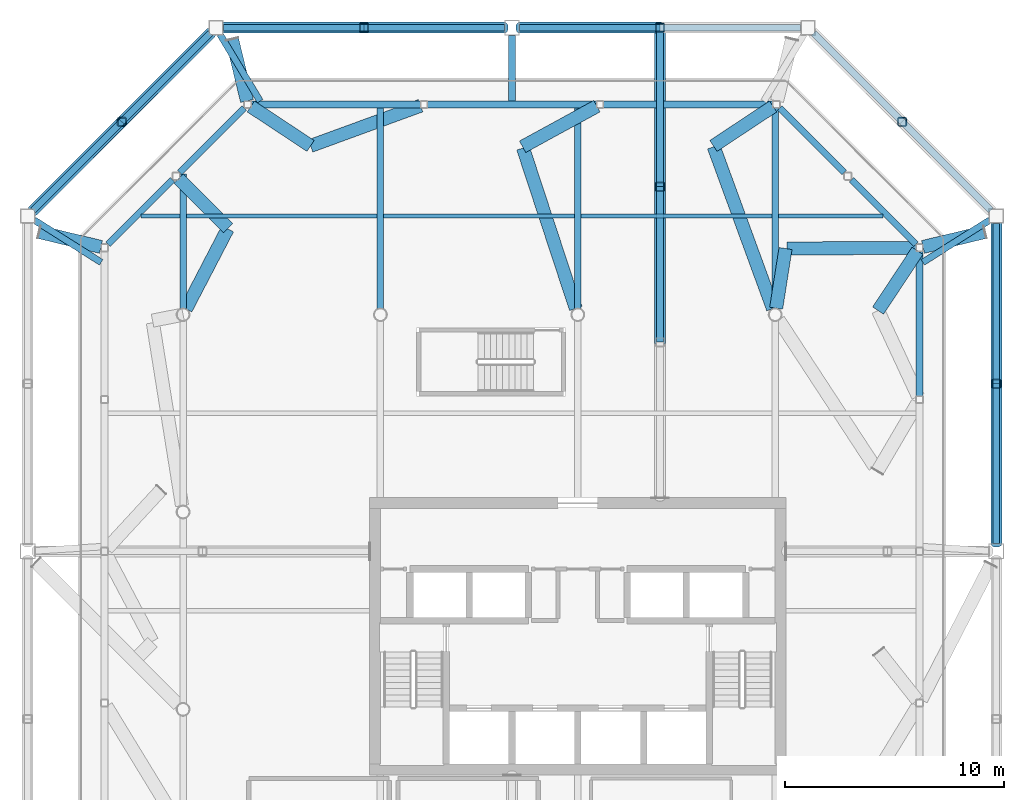
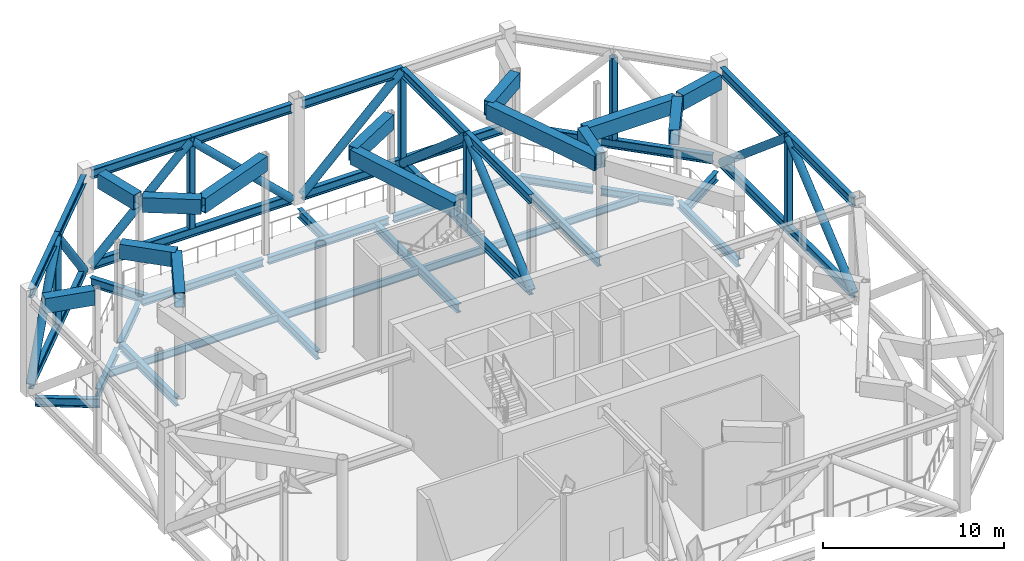
# One storey, part 5 of 17: 51 beams, 15 members.
"""IFC4 building model written with IfcOpenShell, lengths in metres."""

from ifc_helpers import new_model, si_unit, direction, frame, origin, origin_2d, place, context, subcontext, project, spatial, hollow_rectangle, hollow_circle, i_section, extrude, material, material_profile, profile_set, type_object, element, save


model = new_model("IFC4")

# Units and contexts
model_context = context("Model", 3, precision=1e-05, world=origin(), true_north=direction((0.0, 1.0)))
body_context = subcontext(model_context, "Body", "Model", "MODEL_VIEW")
ifc_project = project(units=[si_unit("LENGTHUNIT", "METRE"), si_unit("AREAUNIT", "SQUARE_METRE"), si_unit("VOLUMEUNIT", "CUBIC_METRE"), si_unit("PLANEANGLEUNIT", "RADIAN"), si_unit("MASSUNIT", "GRAM", prefix="KILO")], contexts=[model_context])

# Site, building, storey
site_placement = place(None, origin())
site = spatial("IfcSite", under=ifc_project, at=site_placement, CompositionType="ELEMENT")
building_placement = place(site_placement, origin())
building = spatial("IfcBuilding", under=site, at=building_placement, Name="Tskaro Facet Tower", CompositionType="ELEMENT")
storey_placement = place(building_placement, frame((0.0, 0.0, 210.0)))
storey = spatial("IfcBuildingStorey", under=building, at=storey_placement, Name="L54", CompositionType="ELEMENT", Elevation=210.0)

# Beams
ifc_material_1 = material(Name="Steel S355J2", Category="steel")
ifc_material_profile_1 = material_profile(ifc_material_1, hollow_rectangle(XDim=0.60009765625, YDim=1.0, WallThickness=0.0400390625, at=origin_2d()), Name="BOX 600x1000x40")
ifc_profile_set_1 = profile_set([ifc_material_profile_1], Name="Steel S355J2")
beam_type_1 = type_object("IfcBeamType", Name="BOX 600x1000x40 transfer girder", PredefinedType="BEAM", material=ifc_profile_set_1)
for number, where, z_axis, x_axis, name in (
    (1, (18.550537109375, 12.7646484375, 6.280029296875), (-0.971896419366, -0.235408899629, 0.0), (0.235408899629, -0.971896419366, 0.0), "BOX 600x1000x40 TG5-7"),
    (2, (-15.7646484375, 21.550537109375, 6.280029296875), (0.235408899629, -0.971896419366, 0.0), (0.971896419366, 0.235408899629, 0.0), "BOX 600x1000x40 TG5-9"),
    (3, (-24.550537109375, 12.7646484375, 6.280029296875), (0.971896419366, -0.235408899629, 0.0), (0.235408899629, 0.971896419366, 0.0), "BOX 600x1000x40 TG5-10"),
):
    element("IfcBeam", number, at=place(storey_placement, frame(where, z_axis=z_axis, x_axis=x_axis)), inside=storey, type_object=beam_type_1, Name=name, PredefinedType="BEAM", context=body_context, shape_type="SweptSolid", body=[
        extrude(hollow_rectangle(XDim=0.60009765625, YDim=1.0, WallThickness=0.0400390625, at=origin_2d()), origin(), (0.0, 0.0, 1.0), 2.88818359375),
    ])
beam_1_placement = place(storey_placement, frame((9.472900390625, 12.0146484375, 6.280029296875), z_axis=(-0.154998278215, -0.987914740122, 0.0), x_axis=(0.987914740122, -0.154998278215, 0.0)))
element("IfcBeam", 4, at=beam_1_placement, inside=storey, type_object=beam_type_1, Name="BOX 600x1000x40 TG5-25", PredefinedType="BEAM", context=body_context, shape_type="SweptSolid", body=[
    extrude(hollow_rectangle(XDim=0.60009765625, YDim=1.0, WallThickness=0.0400390625, at=origin_2d()), origin(), (0.0, 0.0, 1.0), 2.75634765625),
])
beam_2_placement = place(storey_placement, frame((9.53271484375, 12.014892578125, 6.280029296875), z_axis=(0.999986770164, 0.005143879511, 0.0), x_axis=(-0.005143879511, 0.999986770164, 0.0)))
element("IfcBeam", 5, at=beam_2_placement, inside=storey, type_object=beam_type_1, Name="BOX 600x1000x40 TG5-26", PredefinedType="BEAM", context=body_context, shape_type="SweptSolid", body=[
    extrude(hollow_rectangle(XDim=0.60009765625, YDim=1.0, WallThickness=0.0400390625, at=origin_2d()), origin(), (0.0, 0.0, 1.0), 5.88525390625),
])
beam_3_placement = place(storey_placement, frame((-15.947021484375, 12.947021484375, 6.280029296875), z_axis=(-0.707106781187, 0.707106781187, 0.0), x_axis=(-0.707106781187, -0.707106781187, 0.0)))
element("IfcBeam", 6, at=beam_3_placement, inside=storey, type_object=beam_type_1, Name="BOX 600x1000x40 TG5-29", PredefinedType="BEAM", context=body_context, shape_type="SweptSolid", body=[
    extrude(hollow_rectangle(XDim=0.60009765625, YDim=1.0, WallThickness=0.0400390625, at=origin_2d()), origin(), (0.0, 0.0, 1.0), 3.182373046875),
])
beam_4_placement = place(storey_placement, frame((-15.96533203125, 12.911376953125, 6.280029296875), z_axis=(-0.461470451889, -0.887155579384, 0.0), x_axis=(0.887155579384, -0.461470451889, 0.0)))
element("IfcBeam", 7, at=beam_4_placement, inside=storey, type_object=beam_type_1, Name="BOX 600x1000x40 TG5-30", PredefinedType="BEAM", context=body_context, shape_type="SweptSolid", body=[
    extrude(hollow_rectangle(XDim=0.60009765625, YDim=1.0, WallThickness=0.0400390625, at=origin_2d()), origin(), (0.0, 0.0, 1.0), 4.11376953125),
])
for number, where, z_axis, x_axis, name in (
    (8, (13.694091796875, 9.18408203125, 6.280029296875), (0.550879720885, 0.834584647065, 0.0), (-0.834584647065, 0.550879720885, 0.0), "BOX 600x1000x40 TG5-31"),
    (9, (6.18408203125, 16.694091796875, 6.280029296875), (0.834584647065, 0.550879720885, 0.0), (-0.550879720885, 0.834584647065, 0.0), "BOX 600x1000x40 TG5-33"),
):
    element("IfcBeam", number, at=place(storey_placement, frame(where, z_axis=z_axis, x_axis=x_axis)), inside=storey, type_object=beam_type_1, Name=name, PredefinedType="BEAM", context=body_context, shape_type="SweptSolid", body=[
        extrude(hollow_rectangle(XDim=0.60009765625, YDim=1.0, WallThickness=0.0400390625, at=origin_2d()), origin(), (0.0, 0.0, 1.0), 3.26416015625),
    ])
beam_5_placement = place(storey_placement, frame((6.19775390625, 16.656494140625, 6.280029296875), z_axis=(0.343710512715, -0.939075653741, 0.0), x_axis=(0.939075653741, 0.343710512715, 0.0)))
element("IfcBeam", 10, at=beam_5_placement, inside=storey, type_object=beam_type_1, Name="BOX 600x1000x40 TG5-34", PredefinedType="BEAM", context=body_context, shape_type="SweptSolid", body=[
    extrude(hollow_rectangle(XDim=0.60009765625, YDim=1.0, WallThickness=0.0400390625, at=origin_2d()), origin(), (0.0, 0.0, 1.0), 7.858154296875),
])
beam_6_placement = place(storey_placement, frame((-12.18408203125, 16.694091796875, 6.280029296875), z_axis=(-0.834584647065, 0.550879720885, 0.0), x_axis=(-0.550879720885, -0.834584647065, 0.0)))
element("IfcBeam", 11, at=beam_6_placement, inside=storey, type_object=beam_type_1, Name="BOX 600x1000x40 TG5-35", PredefinedType="BEAM", context=body_context, shape_type="SweptSolid", body=[
    extrude(hollow_rectangle(XDim=0.60009765625, YDim=1.0, WallThickness=0.0400390625, at=origin_2d()), origin(), (0.0, 0.0, 1.0), 3.26416015625),
])
beam_7_placement = place(storey_placement, frame((-12.18408203125, 16.694091796875, 6.280029296875), z_axis=(0.939254150451, 0.343222436417, 0.0), x_axis=(-0.343222436417, 0.939254150451, 0.0)))
element("IfcBeam", 12, at=beam_7_placement, inside=storey, type_object=beam_type_1, Name="BOX 600x1000x40 TG5-36", PredefinedType="BEAM", context=body_context, shape_type="SweptSolid", body=[
    extrude(hollow_rectangle(XDim=0.60009765625, YDim=1.0, WallThickness=0.0400390625, at=origin_2d()), origin(), (0.0, 0.0, 1.0), 5.33837890625),
])
beam_8_placement = place(storey_placement, frame((-2.517333984375, 16.654541015625, 6.280029296875), z_axis=(0.877714195292, 0.479184506619, 0.0), x_axis=(-0.479184506619, 0.877714195292, 0.0)))
element("IfcBeam", 13, at=beam_8_placement, inside=storey, type_object=beam_type_1, Name="BOX 600x1000x40 TG5-39", PredefinedType="BEAM", context=body_context, shape_type="SweptSolid", body=[
    extrude(hollow_rectangle(XDim=0.60009765625, YDim=1.0, WallThickness=0.0400390625, at=origin_2d()), origin(), (0.0, 0.0, 1.0), 3.859375),
])
beam_9_placement = place(storey_placement, frame((-2.49853515625, 16.59765625, 6.280029296875), z_axis=(0.312412367521, -0.949946584088, 0.0), x_axis=(0.949946584088, 0.312412367521, 0.0)))
element("IfcBeam", 14, at=beam_9_placement, inside=storey, type_object=beam_type_1, Name="BOX 600x1000x40 TG5-40", PredefinedType="BEAM", context=body_context, shape_type="SweptSolid", body=[
    extrude(hollow_rectangle(XDim=0.60009765625, YDim=1.0, WallThickness=0.0400390625, at=origin_2d()), origin(), (0.0, 0.0, 1.0), 7.702880859375),
])

# Members
ifc_material_2 = material(Name="Steel S355J2H", Category="steel")
ifc_material_profile_2 = material_profile(ifc_material_2, hollow_circle(Radius=0.25390625, WallThickness=0.02490234375, at=origin_2d()), Name="CHS 508x25")
ifc_profile_set_2 = profile_set([ifc_material_profile_2], Name="Steel S355J2H")
member_type_1 = type_object("IfcMemberType", Name="CHS 508x25 belt diagonal", PredefinedType="BRACE", material=ifc_profile_set_2)
member_1_placement = place(storey_placement, frame((19.0849609375, -1.443115234375, 0.31005859375), z_axis=(0.0, 0.764053163364, 0.645153286866), x_axis=(-1.0, 0.0, 0.0)))
element("IfcMember", 15, at=member_1_placement, inside=storey, type_object=member_type_1, Name="CHS 508x25 BD4-051", PredefinedType="BRACE", context=body_context, shape_type="SweptSolid", body=[
    extrude(hollow_circle(Radius=0.25390625, WallThickness=0.02490234375, at=origin_2d()), origin(), (0.0, 0.0, 1.0), 9.548095703125),
])
member_2_placement = place(storey_placement, frame((19.0849609375, 5.85205078125, 6.469970703125), z_axis=(0.0, 0.764042520292, -0.645165891214), x_axis=(-1.0, 0.0, 0.0)))
element("IfcMember", 16, at=member_2_placement, inside=storey, type_object=member_type_1, Name="CHS 508x25 BD4-052", PredefinedType="BRACE", context=body_context, shape_type="SweptSolid", body=[
    extrude(hollow_circle(Radius=0.25390625, WallThickness=0.02490234375, at=origin_2d()), origin(), (0.0, 0.0, 1.0), 9.5478515625),
])
for number, where, z_axis, x_axis, name in (
    (17, (3.74853515625, 22.0849609375, 6.469970703125), (-0.720407191411, 0.0, -0.693551352506), (0.0, -1.0, 0.0), "CHS 508x25 BD4-072"),
    (18, (-3.35009765625, 22.0849609375, 0.31005859375), (-0.720407191411, 0.0, 0.693551352506), (0.0, -1.0, 0.0), "CHS 508x25 BD4-081"),
    (19, (-9.74853515625, 22.0849609375, 6.469970703125), (-0.720407191411, 0.0, -0.693551352506), (0.0, -1.0, 0.0), "CHS 508x25 BD4-082"),
):
    element("IfcMember", number, at=place(storey_placement, frame(where, z_axis=z_axis, x_axis=x_axis)), inside=storey, type_object=member_type_1, Name=name, PredefinedType="BRACE", context=body_context, shape_type="SweptSolid", body=[
        extrude(hollow_circle(Radius=0.25390625, WallThickness=0.02490234375, at=origin_2d()), origin(), (0.0, 0.0, 1.0), 8.881591796875),
    ])
for number, where, z_axis, x_axis, name in (
    (20, (-16.744384765625, 21.83740234375, 0.31005859375), (-0.48128844183, -0.48125940482, 0.732632800954), (0.7070854497, -0.70712811203, 0.0), "CHS 508x25 BD4-091"),
    (21, (-20.791015625, 17.791015625, 6.469970703125), (-0.48125940482, -0.48128844183, -0.732632800954), (0.70712811203, -0.7070854497, 0.0), "CHS 508x25 BD4-092"),
):
    element("IfcMember", number, at=place(storey_placement, frame(where, z_axis=z_axis, x_axis=x_axis)), inside=storey, type_object=member_type_1, Name=name, PredefinedType="BRACE", context=body_context, shape_type="SweptSolid", body=[
        extrude(hollow_circle(Radius=0.25390625, WallThickness=0.02490234375, at=origin_2d()), origin(), (0.0, 0.0, 1.0), 8.407958984375),
    ])
ifc_material_profile_3 = material_profile(ifc_material_2, hollow_circle(Radius=0.25390625, WallThickness=0.02490234375, at=origin_2d()), Name="CHS 508x25")
ifc_profile_set_3 = profile_set([ifc_material_profile_3], Name="Steel S355J2H")
member_type_2 = type_object("IfcMemberType", Name="CHS 508x25 outrigger truss diagonal", PredefinedType="BRACE", material=ifc_profile_set_3)
member_3_placement = place(storey_placement, frame((3.74853515625, 21.925048828125, 0.31005859375), z_axis=(0.0, -0.754967425633, 0.655762294001), x_axis=(1.0, 0.0, 0.0)))
element("IfcMember", 22, at=member_3_placement, inside=storey, type_object=member_type_2, Name="Outrigger truss diagonal OR4N-D1", PredefinedType="BRACE", context=body_context, shape_type="SweptSolid", body=[
    extrude(hollow_circle(Radius=0.25390625, WallThickness=0.02490234375, at=origin_2d()), origin(), (0.0, 0.0, 1.0), 9.3935546875),
])
member_4_placement = place(storey_placement, frame((3.74853515625, 14.833251953125, 6.469970703125), z_axis=(0.0, -0.754956248829, -0.655775161435), x_axis=(1.0, 0.0, 0.0)))
element("IfcMember", 23, at=member_4_placement, inside=storey, type_object=member_type_2, Name="Outrigger truss diagonal OR4N-D2", PredefinedType="BRACE", context=body_context, shape_type="SweptSolid", body=[
    extrude(hollow_circle(Radius=0.25390625, WallThickness=0.02490234375, at=origin_2d()), origin(), (0.0, 0.0, 1.0), 9.393310546875),
])

# Beams
ifc_material_profile_4 = material_profile(ifc_material_1, i_section(OverallWidth=0.300048828125, OverallDepth=0.5, WebThickness=0.014404296875, FlangeThickness=0.028076171875, FilletRadius=0.027099609375, at=origin_2d()), Name="HE 500 B")
ifc_profile_set_4 = profile_set([ifc_material_profile_4], Name="Steel S355J2")
beam_type_2 = type_object("IfcBeamType", Name="HE 500 B ring beam", PredefinedType="BEAM", material=ifc_profile_set_4)
beam_10_placement = place(storey_placement, frame((15.5830078125, 5.281005859375, -0.5), z_axis=(0.0, 1.0, 0.0), x_axis=(-1.0, 0.0, 0.0)))
element("IfcBeam", 24, at=beam_10_placement, inside=storey, type_object=beam_type_2, Name="HE 500 B EB9-4", PredefinedType="BEAM", context=body_context, shape_type="SweptSolid", body=[
    extrude(i_section(OverallWidth=0.300048828125, OverallDepth=0.5, WebThickness=0.014404296875, FlangeThickness=0.028076171875, FilletRadius=0.027099609375, at=origin_2d()), origin(), (0.0, 0.0, 1.0), 6.610107421875),
])
for number, where, z_axis, x_axis, name in (
    (25, (15.422119140625, 12.206787109375, -0.5), (-0.70722393913, 0.706989603829, 0.0), (-0.706989603829, -0.70722393913, 0.0), "HE 500 B EB10-4"),
    (26, (12.153076171875, 15.474853515625, -0.5), (-0.706989603829, 0.70722393913, 0.0), (-0.70722393913, -0.706989603829, 0.0), "HE 500 B EB11-4"),
):
    element("IfcBeam", number, at=place(storey_placement, frame(where, z_axis=z_axis, x_axis=x_axis)), inside=storey, type_object=beam_type_2, Name=name, PredefinedType="BEAM", context=body_context, shape_type="SweptSolid", body=[
        extrude(i_section(OverallWidth=0.300048828125, OverallDepth=0.5, WebThickness=0.014404296875, FlangeThickness=0.028076171875, FilletRadius=0.027099609375, at=origin_2d()), origin(), (0.0, 0.0, 1.0), 4.16748046875),
    ])
beam_11_placement = place(storey_placement, frame((8.89111328125, 18.5830078125, -0.5), z_axis=(-1.0, 0.0, 0.0), x_axis=(0.0, -1.0, 0.0)))
element("IfcBeam", 27, at=beam_11_placement, inside=storey, type_object=beam_type_2, Name="HE 500 B EB12-4", PredefinedType="BEAM", context=body_context, shape_type="SweptSolid", body=[
    extrude(i_section(OverallWidth=0.300048828125, OverallDepth=0.5, WebThickness=0.014404296875, FlangeThickness=0.028076171875, FilletRadius=0.027099609375, at=origin_2d()), origin(), (0.0, 0.0, 1.0), 7.72119140625),
])
beam_12_placement = place(storey_placement, frame((0.860107421875, 18.5830078125, -0.5), z_axis=(-1.0, 0.0, 0.0), x_axis=(0.0, -1.0, 0.0)))
element("IfcBeam", 28, at=beam_12_placement, inside=storey, type_object=beam_type_2, Name="HE 500 B EB13-4", PredefinedType="BEAM", context=body_context, shape_type="SweptSolid", body=[
    extrude(i_section(OverallWidth=0.300048828125, OverallDepth=0.5, WebThickness=0.014404296875, FlangeThickness=0.028076171875, FilletRadius=0.027099609375, at=origin_2d()), origin(), (0.0, 0.0, 1.0), 7.72021484375),
])
beam_13_placement = place(storey_placement, frame((-7.169921875, 18.5830078125, -0.5), z_axis=(-1.0, 0.0, 0.0), x_axis=(0.0, -1.0, 0.0)))
element("IfcBeam", 29, at=beam_13_placement, inside=storey, type_object=beam_type_2, Name="HE 500 B EB14-4", PredefinedType="BEAM", context=body_context, shape_type="SweptSolid", body=[
    extrude(i_section(OverallWidth=0.300048828125, OverallDepth=0.5, WebThickness=0.014404296875, FlangeThickness=0.028076171875, FilletRadius=0.027099609375, at=origin_2d()), origin(), (0.0, 0.0, 1.0), 7.72119140625),
])
for number, where, z_axis, x_axis, name in (
    (30, (-15.206787109375, 18.422119140625, -0.5), (-0.706989603829, -0.70722393913, 0.0), (0.70722393913, -0.706989603829, 0.0), "HE 500 B EB15-4"),
    (31, (-18.474853515625, 15.153076171875, -0.5), (-0.70722393913, -0.706989603829, 0.0), (0.706989603829, -0.70722393913, 0.0), "HE 500 B EB16-4"),
):
    element("IfcBeam", number, at=place(storey_placement, frame(where, z_axis=z_axis, x_axis=x_axis)), inside=storey, type_object=beam_type_2, Name=name, PredefinedType="BEAM", context=body_context, shape_type="SweptSolid", body=[
        extrude(i_section(OverallWidth=0.300048828125, OverallDepth=0.5, WebThickness=0.014404296875, FlangeThickness=0.028076171875, FilletRadius=0.027099609375, at=origin_2d()), origin(), (0.0, 0.0, 1.0), 4.16748046875),
    ])
ifc_material_profile_5 = material_profile(ifc_material_1, i_section(OverallWidth=0.300048828125, OverallDepth=0.590087890625, WebThickness=0.012939453125, FlangeThickness=0.02490234375, FilletRadius=0.027099609375, at=origin_2d()), Name="HE 600 A")
ifc_profile_set_5 = profile_set([ifc_material_profile_5], Name="Steel S355J2")
beam_type_3 = type_object("IfcBeamType", Name="HE 600 A girder", PredefinedType="BEAM", material=ifc_profile_set_5)
beam_14_placement = place(storey_placement, frame((-18.0, 9.27490234375, -0.544921875), z_axis=(0.0, 1.0, 0.0), x_axis=(-1.0, 0.0, 0.0)))
element("IfcBeam", 32, at=beam_14_placement, inside=storey, type_object=beam_type_3, Name="HE 600 A GB2-4-4", PredefinedType="BEAM", context=body_context, shape_type="SweptSolid", body=[
    extrude(i_section(OverallWidth=0.300048828125, OverallDepth=0.590087890625, WebThickness=0.012939453125, FlangeThickness=0.02490234375, FilletRadius=0.027099609375, at=origin_2d()), origin(), (0.0, 0.0, 1.0), 6.14208984375),
])
for number, where, z_axis, x_axis, name in (
    (33, (-9.0, 9.27490234375, -0.544921875), (0.0, 1.0, 0.0), (-1.0, 0.0, 0.0), "HE 600 A GB3-3-4"),
    (34, (0.0, 9.27490234375, -0.544921875), (0.0, 1.0, 0.0), (-1.0, 0.0, 0.0), "HE 600 A GB4-3-4"),
):
    element("IfcBeam", number, at=place(storey_placement, frame(where, z_axis=z_axis, x_axis=x_axis)), inside=storey, type_object=beam_type_3, Name=name, PredefinedType="BEAM", context=body_context, shape_type="SweptSolid", body=[
        extrude(i_section(OverallWidth=0.300048828125, OverallDepth=0.590087890625, WebThickness=0.012939453125, FlangeThickness=0.02490234375, FilletRadius=0.027099609375, at=origin_2d()), origin(), (0.0, 0.0, 1.0), 9.158203125),
    ])
beam_15_placement = place(storey_placement, frame((9.0, 9.27490234375, -0.544921875), z_axis=(0.0, 1.0, 0.0), x_axis=(-1.0, 0.0, 0.0)))
element("IfcBeam", 35, at=beam_15_placement, inside=storey, type_object=beam_type_3, Name="HE 600 A GB5-3-4", PredefinedType="BEAM", context=body_context, shape_type="SweptSolid", body=[
    extrude(i_section(OverallWidth=0.300048828125, OverallDepth=0.590087890625, WebThickness=0.012939453125, FlangeThickness=0.02490234375, FilletRadius=0.027099609375, at=origin_2d()), origin(), (0.0, 0.0, 1.0), 9.14208984375),
])
ifc_material_profile_6 = material_profile(ifc_material_1, i_section(OverallWidth=0.300048828125, OverallDepth=0.60009765625, WebThickness=0.015380859375, FlangeThickness=0.030029296875, FilletRadius=0.027099609375, at=origin_2d()), Name="HE 600 B")
ifc_profile_set_6 = profile_set([ifc_material_profile_6], Name="Steel S355J2")
beam_type_4 = type_object("IfcBeamType", Name="HE 600 B floor strut", PredefinedType="BEAM", material=ifc_profile_set_6)
beam_16_placement = place(storey_placement, frame((18.788818359375, 13.310546875, -0.550048828125), z_axis=(-0.84608267724, -0.53305168912, 0.0), x_axis=(0.53305168912, -0.84608267724, 0.0)))
element("IfcBeam", 36, at=beam_16_placement, inside=storey, type_object=beam_type_4, Name="HE 600 B ES4-06", PredefinedType="BEAM", context=body_context, shape_type="SweptSolid", body=[
    extrude(i_section(OverallWidth=0.300048828125, OverallDepth=0.60009765625, WebThickness=0.015380859375, FlangeThickness=0.030029296875, FilletRadius=0.027099609375, at=origin_2d()), origin(), (0.0, 0.0, 1.0), 3.61181640625),
])
beam_17_placement = place(storey_placement, frame((-3.0, 21.735107421875, -0.550048828125), z_axis=(0.0, -1.0, 0.0), x_axis=(1.0, 0.0, 0.0)))
element("IfcBeam", 37, at=beam_17_placement, inside=storey, type_object=beam_type_4, Name="HE 600 B ES4-08", PredefinedType="BEAM", context=body_context, shape_type="SweptSolid", body=[
    extrude(i_section(OverallWidth=0.300048828125, OverallDepth=0.60009765625, WebThickness=0.015380859375, FlangeThickness=0.030029296875, FilletRadius=0.027099609375, at=origin_2d()), origin(), (0.0, 0.0, 1.0), 3.002197265625),
])
beam_18_placement = place(storey_placement, frame((-16.31689453125, 21.784912109375, -0.550048828125), z_axis=(0.514364601892, -0.857571604194, 0.0), x_axis=(0.857571604194, 0.514364601892, 0.0)))
element("IfcBeam", 38, at=beam_18_placement, inside=storey, type_object=beam_type_4, Name="HE 600 B ES4-09", PredefinedType="BEAM", context=body_context, shape_type="SweptSolid", body=[
    extrude(i_section(OverallWidth=0.300048828125, OverallDepth=0.60009765625, WebThickness=0.015380859375, FlangeThickness=0.030029296875, FilletRadius=0.027099609375, at=origin_2d()), origin(), (0.0, 0.0, 1.0), 3.558837890625),
])
beam_19_placement = place(storey_placement, frame((-24.788818359375, 13.310546875, -0.550048828125), z_axis=(0.84608267724, -0.53305168912, 0.0), x_axis=(0.53305168912, 0.84608267724, 0.0)))
element("IfcBeam", 39, at=beam_19_placement, inside=storey, type_object=beam_type_4, Name="HE 600 B ES4-10", PredefinedType="BEAM", context=body_context, shape_type="SweptSolid", body=[
    extrude(i_section(OverallWidth=0.300048828125, OverallDepth=0.60009765625, WebThickness=0.015380859375, FlangeThickness=0.030029296875, FilletRadius=0.027099609375, at=origin_2d()), origin(), (0.0, 0.0, 1.0), 3.61181640625),
])
ifc_material_profile_7 = material_profile(ifc_material_1, i_section(OverallWidth=0.304931640625, OverallDepth=0.6201171875, WebThickness=0.02099609375, FlangeThickness=0.0400390625, FilletRadius=0.027099609375, at=origin_2d()), Name="HE 600 M")
ifc_profile_set_7 = profile_set([ifc_material_profile_7], Name="Steel S355J2")
beam_type_5 = type_object("IfcBeamType", Name="HE 600 M belt chord", PredefinedType="BEAM", material=ifc_profile_set_7)
beam_20_placement = place(storey_placement, frame((19.0849609375, -1.443115234375, 6.469970703125), z_axis=(0.0, 1.0, 0.0), x_axis=(-1.0, 0.0, 0.0)))
element("IfcBeam", 40, at=beam_20_placement, inside=storey, type_object=beam_type_5, Name="HE 600 M BT4-05T1", PredefinedType="BEAM", context=body_context, shape_type="SweptSolid", body=[
    extrude(i_section(OverallWidth=0.304931640625, OverallDepth=0.6201171875, WebThickness=0.02099609375, FlangeThickness=0.0400390625, FilletRadius=0.027099609375, at=origin_2d()), origin(), (0.0, 0.0, 1.0), 7.295166015625),
])
beam_21_placement = place(storey_placement, frame((19.0849609375, 5.85205078125, 6.469970703125), z_axis=(0.0, 1.0, 0.0), x_axis=(-1.0, 0.0, 0.0)))
element("IfcBeam", 41, at=beam_21_placement, inside=storey, type_object=beam_type_5, Name="HE 600 M BT4-05T2", PredefinedType="BEAM", context=body_context, shape_type="SweptSolid", body=[
    extrude(i_section(OverallWidth=0.304931640625, OverallDepth=0.6201171875, WebThickness=0.02099609375, FlangeThickness=0.0400390625, FilletRadius=0.027099609375, at=origin_2d()), origin(), (0.0, 0.0, 1.0), 7.294921875),
])
beam_22_placement = place(storey_placement, frame((19.0849609375, -1.443115234375, 0.31005859375), z_axis=(0.0, 1.0, 0.0), x_axis=(-1.0, 0.0, 0.0)))
element("IfcBeam", 42, at=beam_22_placement, inside=storey, type_object=beam_type_5, Name="HE 600 M BT4-05B1", PredefinedType="BEAM", context=body_context, shape_type="SweptSolid", body=[
    extrude(i_section(OverallWidth=0.304931640625, OverallDepth=0.6201171875, WebThickness=0.02099609375, FlangeThickness=0.0400390625, FilletRadius=0.027099609375, at=origin_2d()), origin(), (0.0, 0.0, 1.0), 14.590087890625),
])
beam_23_placement = place(storey_placement, frame((18.83740234375, 13.744384765625, 0.31005859375), z_axis=(-0.707106781187, 0.707106781187, 0.0), x_axis=(-0.707106781187, -0.707106781187, 0.0)))
element("IfcBeam", 43, at=beam_23_placement, inside=storey, type_object=beam_type_5, Name="HE 600 M BT4-06B1", PredefinedType="BEAM", context=body_context, shape_type="SweptSolid", body=[
    extrude(i_section(OverallWidth=0.304931640625, OverallDepth=0.6201171875, WebThickness=0.02099609375, FlangeThickness=0.0400390625, FilletRadius=0.027099609375, at=origin_2d()), origin(), (0.0, 0.0, 1.0), 11.4453125),
])
beam_24_placement = place(storey_placement, frame((3.74853515625, 22.0849609375, 6.469970703125), z_axis=(-1.0, 0.0, 0.0), x_axis=(0.0, -1.0, 0.0)))
element("IfcBeam", 44, at=beam_24_placement, inside=storey, type_object=beam_type_5, Name="HE 600 M BT4-07T2", PredefinedType="BEAM", context=body_context, shape_type="SweptSolid", body=[
    extrude(i_section(OverallWidth=0.304931640625, OverallDepth=0.6201171875, WebThickness=0.02099609375, FlangeThickness=0.0400390625, FilletRadius=0.027099609375, at=origin_2d()), origin(), (0.0, 0.0, 1.0), 6.3984375),
])
beam_25_placement = place(storey_placement, frame((10.14697265625, 22.0849609375, 0.31005859375), z_axis=(-1.0, 0.0, 0.0), x_axis=(0.0, -1.0, 0.0)))
element("IfcBeam", 45, at=beam_25_placement, inside=storey, type_object=beam_type_5, Name="HE 600 M BT4-07B1", PredefinedType="BEAM", context=body_context, shape_type="SweptSolid", body=[
    extrude(i_section(OverallWidth=0.304931640625, OverallDepth=0.6201171875, WebThickness=0.02099609375, FlangeThickness=0.0400390625, FilletRadius=0.027099609375, at=origin_2d()), origin(), (0.0, 0.0, 1.0), 12.796875),
])
for number, where, z_axis, x_axis, name in (
    (46, (-3.35009765625, 22.0849609375, 6.469970703125), (-1.0, 0.0, 0.0), (0.0, -1.0, 0.0), "HE 600 M BT4-08T1"),
    (47, (-9.74853515625, 22.0849609375, 6.469970703125), (-1.0, 0.0, 0.0), (0.0, -1.0, 0.0), "HE 600 M BT4-08T2"),
):
    element("IfcBeam", number, at=place(storey_placement, frame(where, z_axis=z_axis, x_axis=x_axis)), inside=storey, type_object=beam_type_5, Name=name, PredefinedType="BEAM", context=body_context, shape_type="SweptSolid", body=[
        extrude(i_section(OverallWidth=0.304931640625, OverallDepth=0.6201171875, WebThickness=0.02099609375, FlangeThickness=0.0400390625, FilletRadius=0.027099609375, at=origin_2d()), origin(), (0.0, 0.0, 1.0), 6.3984375),
    ])
beam_26_placement = place(storey_placement, frame((-3.35009765625, 22.0849609375, 0.31005859375), z_axis=(-1.0, 0.0, 0.0), x_axis=(0.0, -1.0, 0.0)))
element("IfcBeam", 48, at=beam_26_placement, inside=storey, type_object=beam_type_5, Name="HE 600 M BT4-08B1", PredefinedType="BEAM", context=body_context, shape_type="SweptSolid", body=[
    extrude(i_section(OverallWidth=0.304931640625, OverallDepth=0.6201171875, WebThickness=0.02099609375, FlangeThickness=0.0400390625, FilletRadius=0.027099609375, at=origin_2d()), origin(), (0.0, 0.0, 1.0), 12.796875),
])
for number, where, z_axis, x_axis, name in (
    (49, (-16.744384765625, 21.83740234375, 6.469970703125), (-0.70712811203, -0.7070854497, 0.0), (0.7070854497, -0.70712811203, 0.0), "HE 600 M BT4-09T1"),
    (50, (-20.791015625, 17.791015625, 6.469970703125), (-0.7070854497, -0.70712811203, 0.0), (0.70712811203, -0.7070854497, 0.0), "HE 600 M BT4-09T2"),
):
    element("IfcBeam", number, at=place(storey_placement, frame(where, z_axis=z_axis, x_axis=x_axis)), inside=storey, type_object=beam_type_5, Name=name, PredefinedType="BEAM", context=body_context, shape_type="SweptSolid", body=[
        extrude(i_section(OverallWidth=0.304931640625, OverallDepth=0.6201171875, WebThickness=0.02099609375, FlangeThickness=0.0400390625, FilletRadius=0.027099609375, at=origin_2d()), origin(), (0.0, 0.0, 1.0), 5.72265625),
    ])
beam_27_placement = place(storey_placement, frame((-16.744384765625, 21.83740234375, 0.31005859375), z_axis=(-0.707106781187, -0.707106781187, 0.0), x_axis=(0.707106781187, -0.707106781187, 0.0)))
element("IfcBeam", 51, at=beam_27_placement, inside=storey, type_object=beam_type_5, Name="HE 600 M BT4-09B1", PredefinedType="BEAM", context=body_context, shape_type="SweptSolid", body=[
    extrude(i_section(OverallWidth=0.304931640625, OverallDepth=0.6201171875, WebThickness=0.02099609375, FlangeThickness=0.0400390625, FilletRadius=0.027099609375, at=origin_2d()), origin(), (0.0, 0.0, 1.0), 11.4453125),
])
ifc_material_profile_8 = material_profile(ifc_material_1, i_section(OverallWidth=0.304931640625, OverallDepth=0.6201171875, WebThickness=0.02099609375, FlangeThickness=0.0400390625, FilletRadius=0.027099609375, at=origin_2d()), Name="HE 600 M")
ifc_profile_set_8 = profile_set([ifc_material_profile_8], Name="Steel S355J2")
beam_type_6 = type_object("IfcBeamType", Name="HE 600 M outrigger truss chord", PredefinedType="BEAM", material=ifc_profile_set_8)
for number, where, z_axis, x_axis, name in (
    (52, (3.74853515625, 21.925048828125, 6.469970703125), (0.0, -1.0, 0.0), (1.0, 0.0, 0.0), "Outrigger truss chord OR4N-T1"),
    (53, (3.74853515625, 21.925048828125, 0.31005859375), (0.0, -1.0, 0.0), (1.0, 0.0, 0.0), "Outrigger truss chord OR4N-B1"),
):
    element("IfcBeam", number, at=place(storey_placement, frame(where, z_axis=z_axis, x_axis=x_axis)), inside=storey, type_object=beam_type_6, Name=name, PredefinedType="BEAM", context=body_context, shape_type="SweptSolid", body=[
        extrude(i_section(OverallWidth=0.304931640625, OverallDepth=0.6201171875, WebThickness=0.02099609375, FlangeThickness=0.0400390625, FilletRadius=0.027099609375, at=origin_2d()), origin(), (0.0, 0.0, 1.0), 7.091796875),
    ])
for number, where, z_axis, x_axis, name in (
    (54, (3.74853515625, 14.833251953125, 6.469970703125), (0.0, -1.0, 0.0), (1.0, 0.0, 0.0), "Outrigger truss chord OR4N-T2"),
    (55, (3.74853515625, 14.833251953125, 0.31005859375), (0.0, -1.0, 0.0), (1.0, 0.0, 0.0), "Outrigger truss chord OR4N-B2"),
):
    element("IfcBeam", number, at=place(storey_placement, frame(where, z_axis=z_axis, x_axis=x_axis)), inside=storey, type_object=beam_type_6, Name=name, PredefinedType="BEAM", context=body_context, shape_type="SweptSolid", body=[
        extrude(i_section(OverallWidth=0.304931640625, OverallDepth=0.6201171875, WebThickness=0.02099609375, FlangeThickness=0.0400390625, FilletRadius=0.027099609375, at=origin_2d()), origin(), (0.0, 0.0, 1.0), 7.091552734375),
    ])
ifc_material_profile_9 = material_profile(ifc_material_1, i_section(OverallWidth=0.199951171875, OverallDepth=0.5, WebThickness=0.01025390625, FlangeThickness=0.01611328125, FilletRadius=0.02099609375, at=origin_2d()), Name="IPE 500")
ifc_profile_set_9 = profile_set([ifc_material_profile_9], Name="Steel S355J2")
beam_type_7 = type_object("IfcBeamType", Name="IPE 500 secondary beam", PredefinedType="BEAM", material=ifc_profile_set_9)
beam_28_placement = place(storey_placement, frame((-19.9169921875, 13.5, -0.5), z_axis=(1.0, 0.0, 0.0), x_axis=(0.0, 1.0, 0.0)))
element("IfcBeam", 56, at=beam_28_placement, inside=storey, type_object=beam_type_7, Name="IPE 500 SB5a-1-4", PredefinedType="BEAM", context=body_context, shape_type="SweptSolid", body=[
    extrude(i_section(OverallWidth=0.199951171875, OverallDepth=0.5, WebThickness=0.01025390625, FlangeThickness=0.01611328125, FilletRadius=0.02099609375, at=origin_2d()), origin(), (0.0, 0.0, 1.0), 1.76708984375),
])
for number, where, z_axis, x_axis, name in (
    (57, (-17.85009765625, 13.5, -0.5), (1.0, 0.0, 0.0), (0.0, 1.0, 0.0), "IPE 500 SB5a-2-4"),
    (58, (-8.85009765625, 13.5, -0.5), (1.0, 0.0, 0.0), (0.0, 1.0, 0.0), "IPE 500 SB5a-3-4"),
    (59, (0.14990234375, 13.5, -0.5), (1.0, 0.0, 0.0), (0.0, 1.0, 0.0), "IPE 500 SB5a-4-4"),
):
    element("IfcBeam", number, at=place(storey_placement, frame(where, z_axis=z_axis, x_axis=x_axis)), inside=storey, type_object=beam_type_7, Name=name, PredefinedType="BEAM", context=body_context, shape_type="SweptSolid", body=[
        extrude(i_section(OverallWidth=0.199951171875, OverallDepth=0.5, WebThickness=0.01025390625, FlangeThickness=0.01611328125, FilletRadius=0.02099609375, at=origin_2d()), origin(), (0.0, 0.0, 1.0), 8.7001953125),
    ])
beam_29_placement = place(storey_placement, frame((9.14990234375, 13.5, -0.5), z_axis=(1.0, 0.0, 0.0), x_axis=(0.0, 1.0, 0.0)))
element("IfcBeam", 60, at=beam_29_placement, inside=storey, type_object=beam_type_7, Name="IPE 500 SB5a-5-4", PredefinedType="BEAM", context=body_context, shape_type="SweptSolid", body=[
    extrude(i_section(OverallWidth=0.199951171875, OverallDepth=0.5, WebThickness=0.01025390625, FlangeThickness=0.01611328125, FilletRadius=0.02099609375, at=origin_2d()), origin(), (0.0, 0.0, 1.0), 4.76708984375),
])

# Members
ifc_material_profile_10 = material_profile(ifc_material_2, hollow_rectangle(XDim=0.39990234375, YDim=0.39990234375, WallThickness=0.02490234375, InnerFilletRadius=0.03759765625, OuterFilletRadius=0.0625, at=origin_2d()), Name="SHS 400x400x25")
ifc_profile_set_10 = profile_set([ifc_material_profile_10], Name="Steel S355J2H")
member_type_3 = type_object("IfcMemberType", Name="SHS 400x400x25 belt post", PredefinedType="POST", material=ifc_profile_set_10)
for number, where, z_axis, x_axis, name in (
    (61, (19.0849609375, 5.85205078125, 0.6201171875), (0.0, 0.0, 1.0), (1.0, 0.0, 0.0), "SHS 400x400x25 BP4-051"),
    (62, (14.791015625, 17.791015625, 0.6201171875), (0.0, 0.0, 1.0), (1.0, 0.0, 0.0), "SHS 400x400x25 BP4-061"),
    (63, (3.74853515625, 22.0849609375, 0.6201171875), (0.0, 0.0, 1.0), (1.0, 0.0, 0.0), "SHS 400x400x25 BP4-071"),
    (64, (-9.74853515625, 22.0849609375, 0.6201171875), (0.0, 0.0, 1.0), (1.0, 0.0, 0.0), "SHS 400x400x25 BP4-081"),
    (65, (-20.791015625, 17.791015625, 0.6201171875), (0.0, 0.0, 1.0), (1.0, 0.0, 0.0), "SHS 400x400x25 BP4-091"),
):
    element("IfcMember", number, at=place(storey_placement, frame(where, z_axis=z_axis, x_axis=x_axis)), inside=storey, type_object=member_type_3, Name=name, PredefinedType="POST", context=body_context, shape_type="SweptSolid", body=[
        extrude(hollow_rectangle(XDim=0.39990234375, YDim=0.39990234375, WallThickness=0.02490234375, InnerFilletRadius=0.03759765625, OuterFilletRadius=0.0625, at=origin_2d()), origin(), (0.0, 0.0, 1.0), 5.539794921875),
    ])
ifc_material_profile_11 = material_profile(ifc_material_2, hollow_rectangle(XDim=0.39990234375, YDim=0.39990234375, WallThickness=0.02490234375, InnerFilletRadius=0.03759765625, OuterFilletRadius=0.0625, at=origin_2d()), Name="SHS 400x400x25")
ifc_profile_set_11 = profile_set([ifc_material_profile_11], Name="Steel S355J2H")
member_type_4 = type_object("IfcMemberType", Name="SHS 400x400x25 outrigger truss post", PredefinedType="POST", material=ifc_profile_set_11)
member_5_placement = place(storey_placement, frame((3.74853515625, 14.833251953125, 0.580078125), z_axis=(0.0, 0.0, 1.0), x_axis=(1.0, 0.0, 0.0)))
element("IfcMember", 66, at=member_5_placement, inside=storey, type_object=member_type_4, Name="Outrigger truss post OR4N-P1", PredefinedType="POST", context=body_context, shape_type="SweptSolid", body=[
    extrude(hollow_rectangle(XDim=0.39990234375, YDim=0.39990234375, WallThickness=0.02490234375, InnerFilletRadius=0.03759765625, OuterFilletRadius=0.0625, at=origin_2d()), origin(), (0.0, 0.0, 1.0), 5.619873046875),
])

save(model, "model.ifc")
